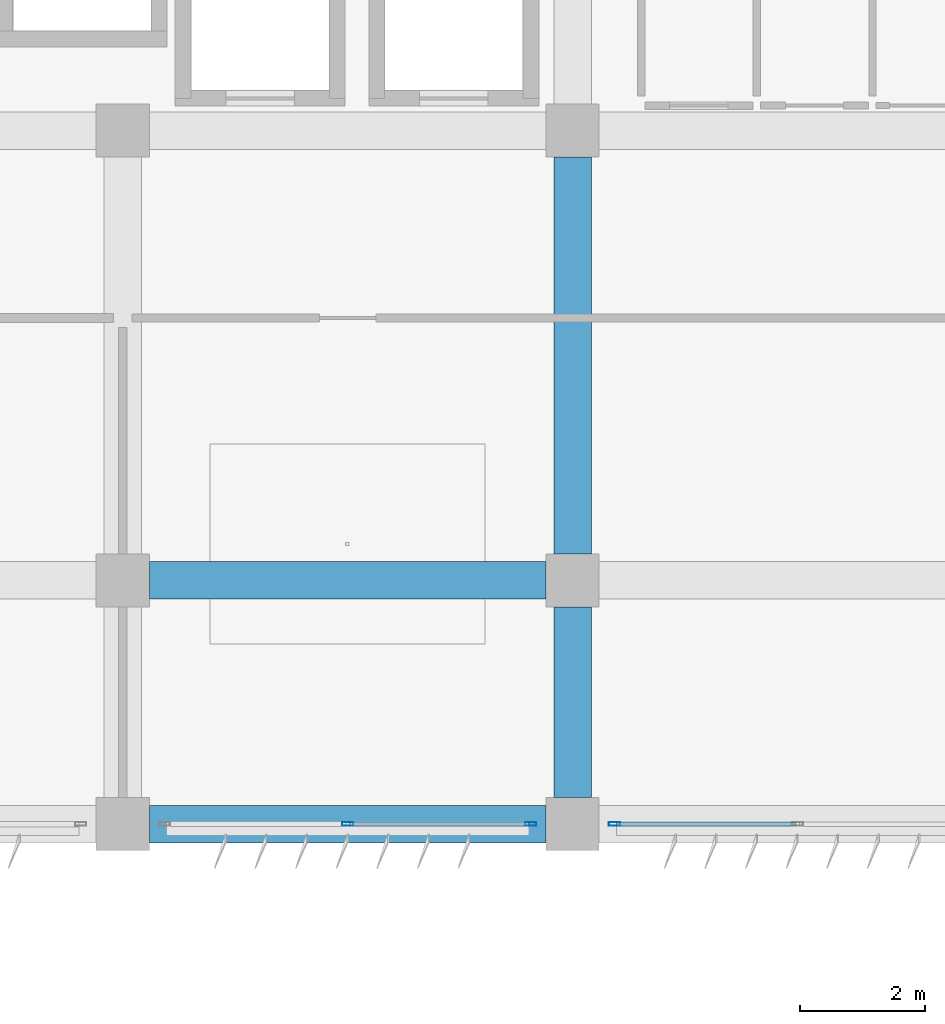
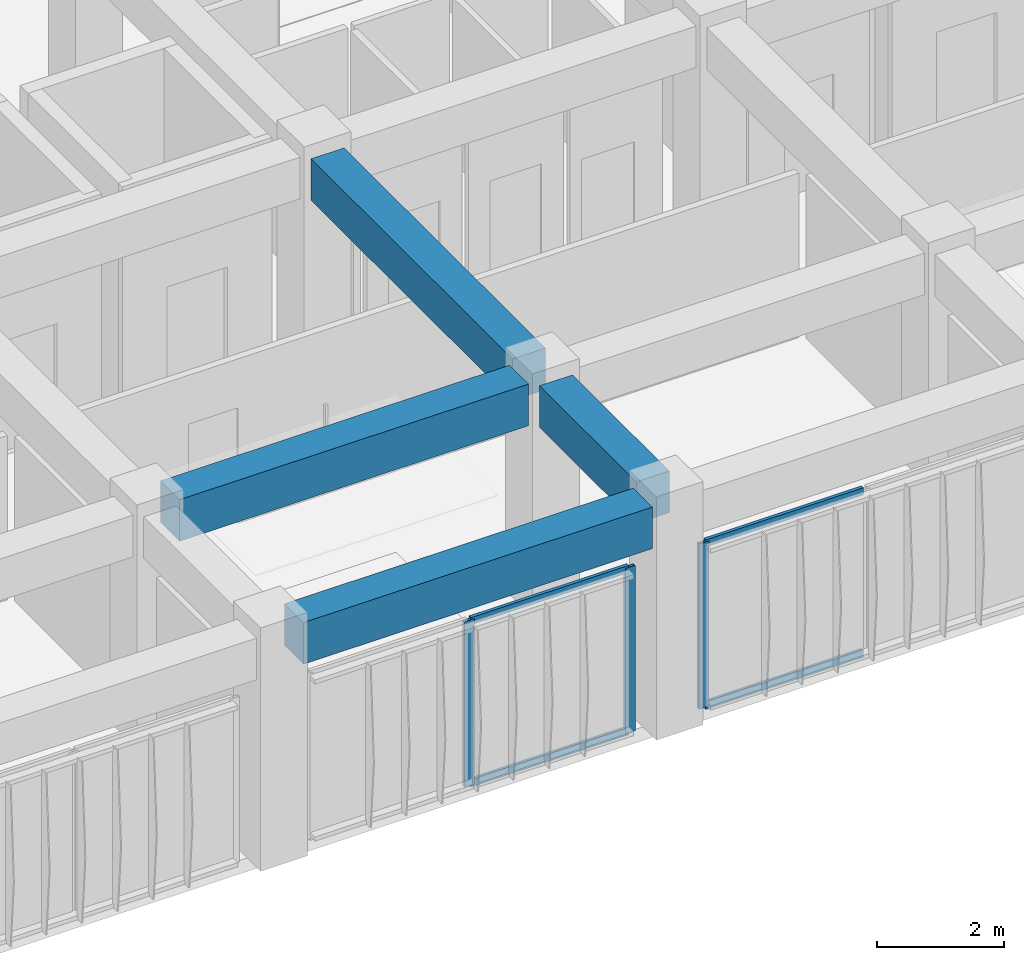
# One storey, part 12 of 55: 7 members, 4 beams, 2 elements without a shape of their own.
"""IFC4 building model written with IfcOpenShell, lengths in metres."""

from ifc_helpers import new_model, si_unit, direction, frame, origin, origin_2d, place, context, subcontext, project, spatial, rectangle, hollow_rectangle, extrude, material, material_profile, profile_set, type_object, element, aggregate, save


model = new_model("IFC4")

# Units and contexts
model_context = context("Model", 3, precision=1e-05, world=origin(), true_north=direction((0.0, 1.0)))
body_context = subcontext(model_context, "Body", "Model", "MODEL_VIEW")
ifc_project = project(units=[si_unit("LENGTHUNIT", "METRE"), si_unit("AREAUNIT", "SQUARE_METRE"), si_unit("VOLUMEUNIT", "CUBIC_METRE"), si_unit("PLANEANGLEUNIT", "RADIAN"), si_unit("MASSUNIT", "GRAM", prefix="KILO")], contexts=[model_context])

# Site, building, storey
site_placement = place(None, origin())
site = spatial("IfcSite", under=ifc_project, at=site_placement, CompositionType="ELEMENT")
building_placement = place(site_placement, origin())
building = spatial("IfcBuilding", under=site, at=building_placement, Name="Kazehaya Institute of Natural Sciences", CompositionType="ELEMENT")
storey_placement = place(building_placement, frame((0.0, 0.0, 15.1201171875)))
storey = spatial("IfcBuildingStorey", under=building, at=storey_placement, Name="L03", CompositionType="ELEMENT", Elevation=15.1201171875)

# Beams
ifc_material_1 = material(Name="Concrete Fc36", Category="concrete")
ifc_material_profile_1 = material_profile(ifc_material_1, rectangle(XDim=0.60009765625, YDim=0.800048828125, at=origin_2d()), Name="RC-600x800")
ifc_profile_set_1 = profile_set([ifc_material_profile_1], Name="Concrete Fc36")
beam_type = type_object("IfcBeamType", Name="BM-G-600x800", PredefinedType="BEAM", material=ifc_profile_set_1)
for number, where, z_axis, x_axis, name in (
    (1, (76.625, 10.10009765625, 4.009765625), (1.0, 0.0, 0.0), (0.0, 1.0, 0.0), "L03 primary X girder BMX-L03-762-101"),
    (2, (76.625, 14.0, 4.009765625), (1.0, 0.0, 0.0), (0.0, 1.0, 0.0), "L03 primary X girder BMX-L03-762-140"),
):
    element("IfcBeam", number, at=place(storey_placement, frame(where, z_axis=z_axis, x_axis=x_axis)), inside=storey, type_object=beam_type, Name=name, PredefinedType="BEAM", context=body_context, shape_type="SweptSolid", body=[
        extrude(rectangle(XDim=0.60009765625, YDim=0.800048828125, at=origin_2d()), origin(), (0.0, 0.0, 1.0), 6.35009765625),
    ])
beam_1_placement = place(storey_placement, frame((83.39990234375, 10.52490234375, 4.009765625), z_axis=(0.0, 1.0, 0.0), x_axis=(-1.0, 0.0, 0.0)))
element("IfcBeam", 3, at=beam_1_placement, inside=storey, type_object=beam_type, Name="L03 primary Y girder BMY-L03-834-101", PredefinedType="BEAM", context=body_context, shape_type="SweptSolid", body=[
    extrude(rectangle(XDim=0.60009765625, YDim=0.800048828125, at=origin_2d()), origin(), (0.0, 0.0, 1.0), 3.050048828125),
])
beam_2_placement = place(storey_placement, frame((83.39990234375, 14.425048828125, 4.009765625), z_axis=(0.0, 1.0, 0.0), x_axis=(-1.0, 0.0, 0.0)))
element("IfcBeam", 4, at=beam_2_placement, inside=storey, type_object=beam_type, Name="L03 primary Y girder BMY-L03-834-140", PredefinedType="BEAM", context=body_context, shape_type="SweptSolid", body=[
    extrude(rectangle(XDim=0.60009765625, YDim=0.800048828125, at=origin_2d()), origin(), (0.0, 0.0, 1.0), 6.349853515625),
])

# Curtain wall, member
ifc_material_2 = material(Name="Aluminium alloy A6063S-T5", Category="aluminium")
curtain_wall_type = type_object("IfcCurtainWallType", Name="CW-SYS-03", PredefinedType="NOTDEFINED", material=ifc_material_2)
curtain_wall_1_placement = place(storey_placement, origin())
curtain_wall_1 = element("IfcCurtainWall", 5, at=curtain_wall_1_placement, inside=storey, type_object=curtain_wall_type, Name="L03 unitised curtain wall CW-L03-061", PredefinedType="NOTDEFINED")
ifc_material_profile_2 = material_profile(ifc_material_2, hollow_rectangle(XDim=0.06005859375, YDim=0.179931640625, WallThickness=0.00390625, at=origin_2d()), Name="ALU-60x180x4")
ifc_profile_set_2 = profile_set([ifc_material_profile_2], Name="Aluminium alloy A6063S-T5")
member_type_1 = type_object("IfcMemberType", Name="CWM-180", PredefinedType="MULLION", material=ifc_profile_set_2)
member_1_placement = place(storey_placement, frame((84.070068359375, 10.10009765625, 0.0), z_axis=(0.0, 0.0, 1.0), x_axis=(0.0, -1.0, 0.0)))
member_1 = element("IfcMember", 6, at=member_1_placement, type_object=member_type_1, Name="CW03 mullion 3", PredefinedType="MULLION", context=body_context, shape_type="SweptSolid", body=[
    extrude(hollow_rectangle(XDim=0.06005859375, YDim=0.179931640625, WallThickness=0.00390625, at=origin_2d()), origin(), (0.0, 0.0, 1.0), 3.179931640625),
])

# Curtain wall, members
curtain_wall_2_placement = place(storey_placement, origin())
curtain_wall_2 = element("IfcCurtainWall", 7, at=curtain_wall_2_placement, inside=storey, type_object=curtain_wall_type, Name="L03 unitised curtain wall CW-L03-062", PredefinedType="NOTDEFINED")
member_2_placement = place(storey_placement, frame((82.72998046875, 10.10009765625, 0.0), z_axis=(0.0, 0.0, 1.0), x_axis=(0.0, -1.0, 0.0)))
member_2 = element("IfcMember", 8, at=member_2_placement, type_object=member_type_1, Name="CW03 mullion 1", PredefinedType="MULLION", context=body_context, shape_type="SweptSolid", body=[
    extrude(hollow_rectangle(XDim=0.06005859375, YDim=0.179931640625, WallThickness=0.00390625, at=origin_2d()), origin(), (0.0, 0.0, 1.0), 3.179931640625),
])
member_3_placement = place(storey_placement, frame((79.800048828125, 10.10009765625, 0.0), z_axis=(0.0, 0.0, 1.0), x_axis=(0.0, -1.0, 0.0)))
member_3 = element("IfcMember", 9, at=member_3_placement, type_object=member_type_1, Name="CW03 mullion 2", PredefinedType="MULLION", context=body_context, shape_type="SweptSolid", body=[
    extrude(hollow_rectangle(XDim=0.06005859375, YDim=0.179931640625, WallThickness=0.00390625, at=origin_2d()), origin(), (0.0, 0.0, 1.0), 3.179931640625),
])

# Member
ifc_material_profile_3 = material_profile(ifc_material_2, hollow_rectangle(XDim=0.06005859375, YDim=0.139892578125, WallThickness=0.00341796875, at=origin_2d()), Name="ALU-60x140x3.5")
ifc_profile_set_3 = profile_set([ifc_material_profile_3], Name="Aluminium alloy A6063S-T5")
member_type_2 = type_object("IfcMemberType", Name="CWT-140", PredefinedType="USERDEFINED", material=ifc_profile_set_3)
member_4_placement = place(storey_placement, frame((86.969970703125, 10.10009765625, 0.02978515625), z_axis=(-1.0, 0.0, 0.0), x_axis=(0.0, -1.0, 0.0)))
member_4 = element("IfcMember", 10, at=member_4_placement, type_object=member_type_2, Name="CW03 transom 2.1", ObjectType="TRANSOM", PredefinedType="USERDEFINED", context=body_context, shape_type="SweptSolid", body=[
    extrude(hollow_rectangle(XDim=0.06005859375, YDim=0.139892578125, WallThickness=0.00341796875, at=origin_2d()), origin(), (0.0, 0.0, 1.0), 2.869873046875),
])

member_5_placement = place(storey_placement, frame((86.969970703125, 10.10009765625, 3.14990234375), z_axis=(-1.0, 0.0, 0.0), x_axis=(0.0, -1.0, 0.0)))
member_5 = element("IfcMember", 11, at=member_5_placement, type_object=member_type_2, Name="CW03 transom 2.2", ObjectType="TRANSOM", PredefinedType="USERDEFINED", context=body_context, shape_type="SweptSolid", body=[
    extrude(hollow_rectangle(XDim=0.06005859375, YDim=0.139892578125, WallThickness=0.00341796875, at=origin_2d()), origin(), (0.0, 0.0, 1.0), 2.869873046875),
])

aggregate(curtain_wall_1, [member_1, member_4, member_5])

member_6_placement = place(storey_placement, frame((82.699951171875, 10.10009765625, 0.02978515625), z_axis=(-1.0, 0.0, 0.0), x_axis=(0.0, -1.0, 0.0)))
member_6 = element("IfcMember", 12, at=member_6_placement, type_object=member_type_2, Name="CW03 transom 1.1", ObjectType="TRANSOM", PredefinedType="USERDEFINED", context=body_context, shape_type="SweptSolid", body=[
    extrude(hollow_rectangle(XDim=0.06005859375, YDim=0.139892578125, WallThickness=0.00341796875, at=origin_2d()), origin(), (0.0, 0.0, 1.0), 2.869873046875),
])

member_7_placement = place(storey_placement, frame((82.699951171875, 10.10009765625, 3.14990234375), z_axis=(-1.0, 0.0, 0.0), x_axis=(0.0, -1.0, 0.0)))
member_7 = element("IfcMember", 13, at=member_7_placement, type_object=member_type_2, Name="CW03 transom 1.2", ObjectType="TRANSOM", PredefinedType="USERDEFINED", context=body_context, shape_type="SweptSolid", body=[
    extrude(hollow_rectangle(XDim=0.06005859375, YDim=0.139892578125, WallThickness=0.00341796875, at=origin_2d()), origin(), (0.0, 0.0, 1.0), 2.869873046875),
])

aggregate(curtain_wall_2, [member_2, member_3, member_6, member_7])

save(model, "model.ifc")
